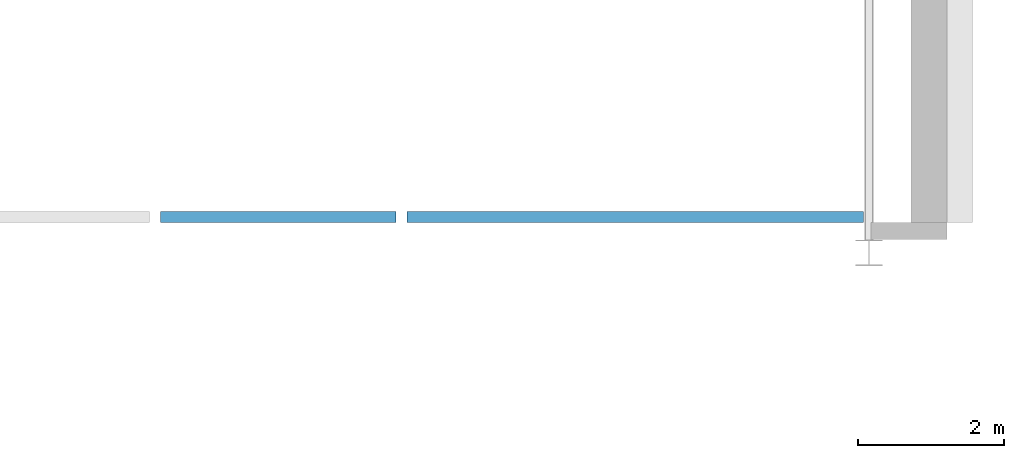
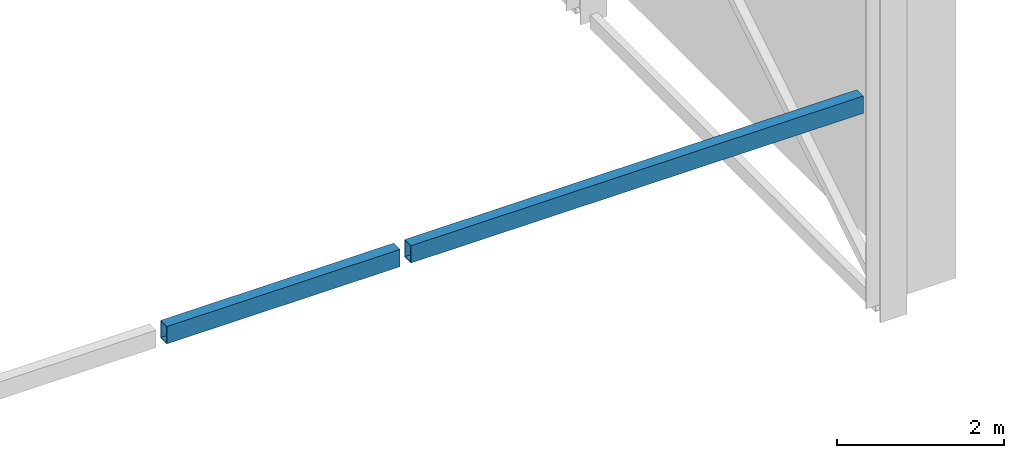
# One storey, part 27 of 93: 2 beams.
"""IFC4 building model written with IfcOpenShell, lengths in metres."""

from ifc_helpers import new_model, si_unit, direction, frame, origin, origin_2d, place, context, subcontext, project, spatial, hollow_rectangle, extrude, material, material_profile, profile_set, type_object, element, save


model = new_model("IFC4")

# Units and contexts
model_context = context("Model", 3, precision=1e-05, world=origin(), true_north=direction((0.0, 1.0)))
body_context = subcontext(model_context, "Body", "Model", "MODEL_VIEW")
ifc_project = project(units=[si_unit("LENGTHUNIT", "METRE"), si_unit("AREAUNIT", "SQUARE_METRE"), si_unit("VOLUMEUNIT", "CUBIC_METRE"), si_unit("PLANEANGLEUNIT", "RADIAN"), si_unit("MASSUNIT", "GRAM", prefix="KILO")], contexts=[model_context])

# Site, building, storey
site_placement = place(None, origin())
site = spatial("IfcSite", under=ifc_project, at=site_placement, CompositionType="ELEMENT")
building_placement = place(site_placement, origin())
building = spatial("IfcBuilding", under=site, at=building_placement, Name="Verrick Yard Athletic Hall", CompositionType="ELEMENT")
storey_placement = place(building_placement, frame((0.0, 0.0, 8.800048828125)))
storey = spatial("IfcBuildingStorey", under=building, at=storey_placement, Name="L02", CompositionType="ELEMENT", Elevation=8.800048828125)

# Beams
ifc_material = material(Name="Structural steel HSS Class C 350W (CSA G40.20/G40.21)", Category="steel")
ifc_material_profile = material_profile(ifc_material, hollow_rectangle(XDim=0.15234375, YDim=0.25390625, WallThickness=0.009521484375, at=origin_2d()), Name="HSS254x152x9.5")
ifc_profile_set = profile_set([ifc_material_profile], Name="Structural steel HSS Class C 350W (CSA G40.20/G40.21)")
beam_type = type_object("IfcBeamType", Name="HB wind girder HSS254x152x9.5", PredefinedType="BEAM", material=ifc_profile_set)
beam_1_placement = place(storey_placement, frame((66.268798828125, 72.49462890625, 2.800048828125), z_axis=(1.0, 0.0, 0.0), x_axis=(0.0, 1.0, 0.0)))
element("IfcBeam", 1, at=beam_1_placement, inside=storey, type_object=beam_type, Name="HB-WG-BS-116-10", PredefinedType="BEAM", context=body_context, shape_type="SweptSolid", body=[
    extrude(hollow_rectangle(XDim=0.15234375, YDim=0.25390625, WallThickness=0.009521484375, at=origin_2d()), origin(), (0.0, 0.0, 1.0), 3.2314453125),
])
beam_2_placement = place(storey_placement, frame((69.652587890625, 72.49462890625, 2.800048828125), z_axis=(1.0, 0.0, 0.0), x_axis=(0.0, 1.0, 0.0)))
element("IfcBeam", 2, at=beam_2_placement, inside=storey, type_object=beam_type, Name="HB-WG-BS-116-11", PredefinedType="BEAM", context=body_context, shape_type="SweptSolid", body=[
    extrude(hollow_rectangle(XDim=0.15234375, YDim=0.25390625, WallThickness=0.009521484375, at=origin_2d()), origin(), (0.0, 0.0, 1.0), 6.271240234375),
])

save(model, "model.ifc")
